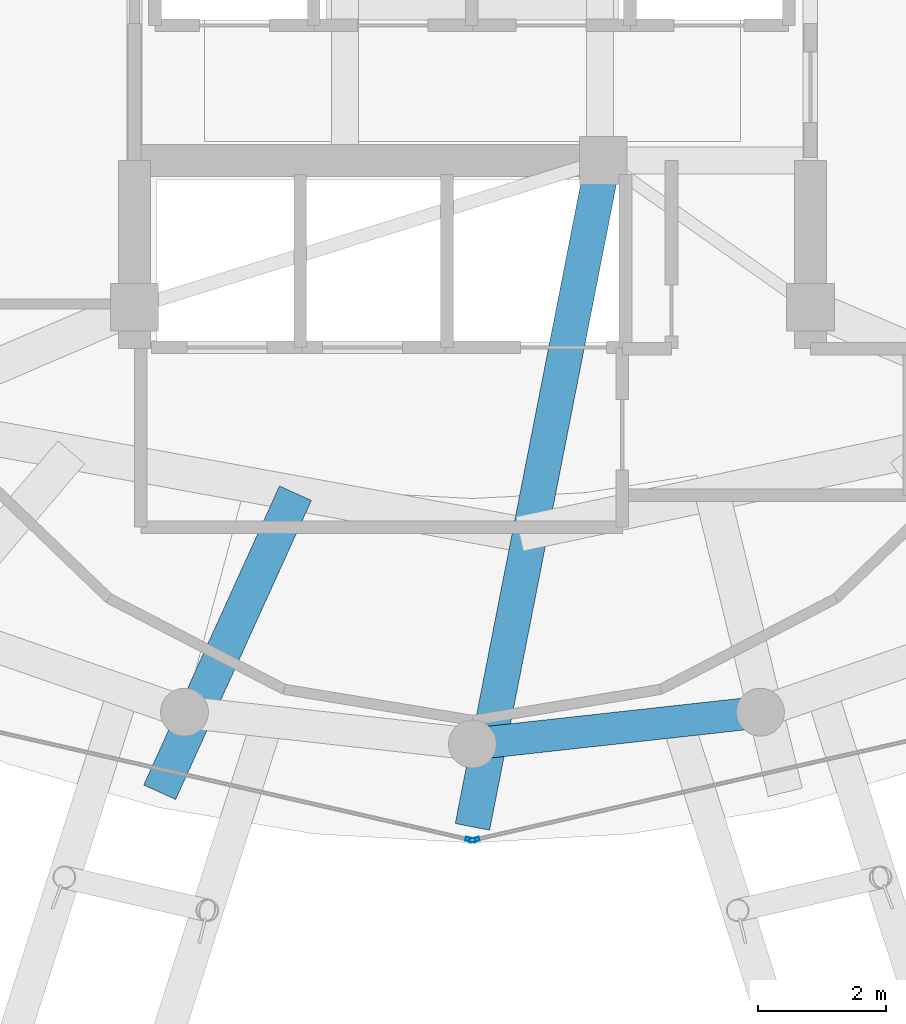
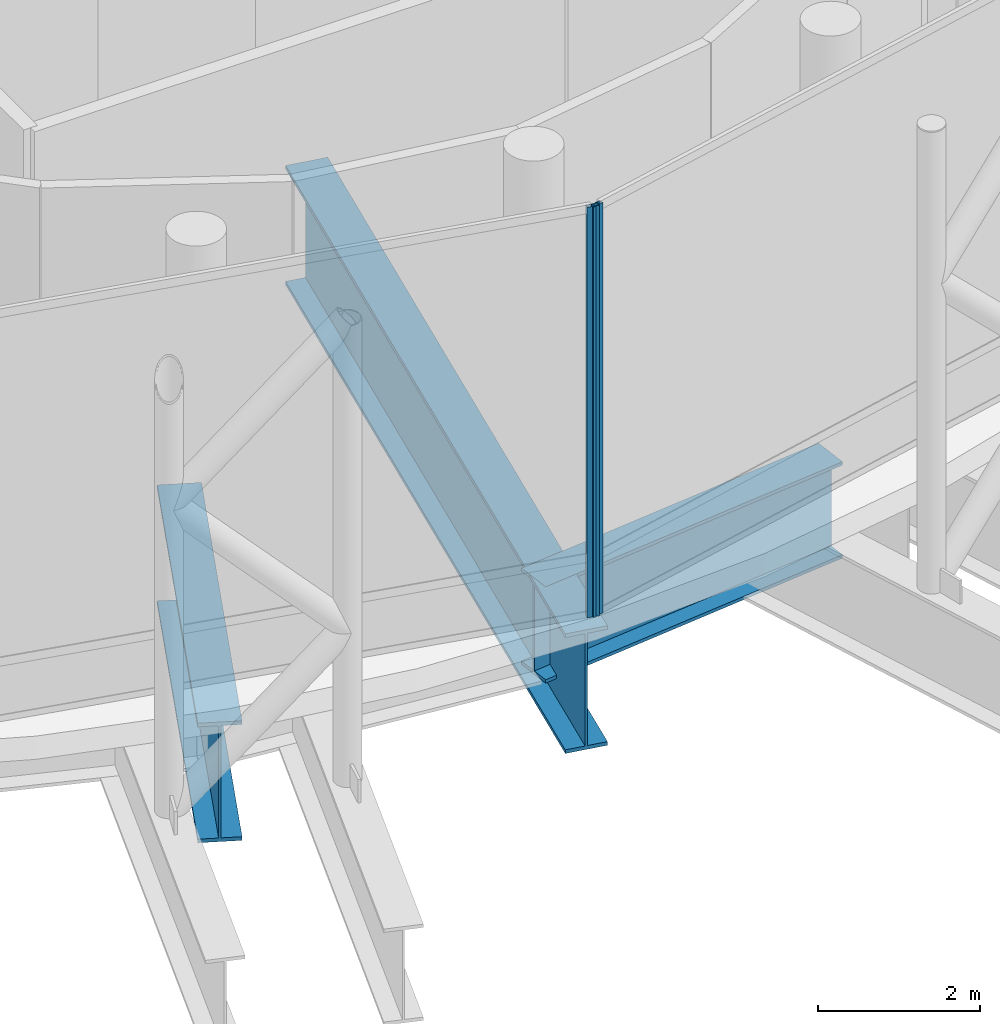
# One storey, part 6 of 26: 3 beams, 2 members, 2 elements without a shape of their own.
"""IFC4 building model written with IfcOpenShell, lengths in metres."""

from ifc_helpers import new_model, si_unit, direction, frame, origin, origin_2d, place, context, subcontext, project, spatial, hollow_rectangle, i_section, extrude, material, layer, layer_set, material_profile, profile_set, type_object, element, aggregate, save


model = new_model("IFC4")

# Units and contexts
model_context = context("Model", 3, precision=1e-05, world=origin(), true_north=direction((0.0, 1.0)))
body_context = subcontext(model_context, "Body", "Model", "MODEL_VIEW")
ifc_project = project(units=[si_unit("LENGTHUNIT", "METRE"), si_unit("AREAUNIT", "SQUARE_METRE"), si_unit("VOLUMEUNIT", "CUBIC_METRE"), si_unit("PLANEANGLEUNIT", "RADIAN"), si_unit("MASSUNIT", "GRAM", prefix="KILO")], contexts=[model_context])

# Site, building, storey
site_placement = place(None, origin())
site = spatial("IfcSite", under=ifc_project, at=site_placement, CompositionType="ELEMENT")
building_placement = place(site_placement, origin())
building = spatial("IfcBuilding", under=site, at=building_placement, Name="Nuhasar Tower", CompositionType="ELEMENT")
storey_placement = place(building_placement, frame((0.0, 0.0, 306.800048828125)))
storey = spatial("IfcBuildingStorey", under=building, at=storey_placement, Name="L76", CompositionType="ELEMENT", Elevation=306.800048828125)

# Beams
ifc_material_1 = material(Name="Steel S460", Category="steel")
ifc_material_profile_1 = material_profile(ifc_material_1, i_section(OverallWidth=0.5, OverallDepth=1.449951171875, WebThickness=0.028076171875, FlangeThickness=0.050048828125, at=origin_2d()), Name="PG1450X500")
ifc_profile_set_1 = profile_set([ifc_material_profile_1], Name="Steel S460")
beam_type_1 = type_object("IfcBeamType", Name="BM-XFER-PG1450", PredefinedType="USERDEFINED", material=ifc_profile_set_1)
beam_1_placement = place(storey_placement, frame((39.0, 12.14990234375, -1.074951171875), z_axis=(0.993950391063, 0.10982995996, 0.0), x_axis=(-0.10982995996, 0.993950391063, 0.0)))
element("IfcBeam", 1, at=beam_1_placement, inside=storey, type_object=beam_type_1, Name="L76 Perimeter Ring Spandrel 19", ObjectType="GIRDER", PredefinedType="USERDEFINED", context=body_context, shape_type="SweptSolid", body=[
    extrude(i_section(OverallWidth=0.5, OverallDepth=1.449951171875, WebThickness=0.028076171875, FlangeThickness=0.050048828125, at=origin_2d()), origin(), (0.0, 0.0, 1.0), 4.543701171875),
])
ifc_material_profile_2 = material_profile(ifc_material_1, i_section(OverallWidth=0.550048828125, OverallDepth=1.800048828125, WebThickness=0.031982421875, FlangeThickness=0.054931640625, at=origin_2d()), Name="PG1800X550")
ifc_profile_set_2 = profile_set([ifc_material_profile_2], Name="Steel S460")
beam_type_2 = type_object("IfcBeamType", Name="BM-XFER-PG1800", PredefinedType="USERDEFINED", material=ifc_profile_set_2)
beam_2_placement = place(storey_placement, frame((41.050048828125, 21.300048828125, -1.25), z_axis=(-0.192508395576, -0.981295326409, 0.0), x_axis=(0.981295326409, -0.192508395576, 0.0)))
element("IfcBeam", 2, at=beam_2_placement, inside=storey, type_object=beam_type_2, Name="L76 Radial Floor Girder 02", ObjectType="GIRDER", PredefinedType="USERDEFINED", context=body_context, shape_type="SweptSolid", body=[
    extrude(i_section(OverallWidth=0.550048828125, OverallDepth=1.800048828125, WebThickness=0.031982421875, FlangeThickness=0.054931640625, at=origin_2d()), origin(), (0.0, 0.0, 1.0), 10.649169921875),
])
beam_3_placement = place(storey_placement, frame((36.22412109375, 16.0830078125, -1.25), z_axis=(-0.41337791991, -0.910559550678, 0.0), x_axis=(0.910559550678, -0.41337791991, 0.0)))
element("IfcBeam", 3, at=beam_3_placement, inside=storey, type_object=beam_type_2, Name="L76 Inner Column Transfer Girder 18", ObjectType="GIRDER", PredefinedType="USERDEFINED", context=body_context, shape_type="SweptSolid", body=[
    extrude(i_section(OverallWidth=0.550048828125, OverallDepth=1.800048828125, WebThickness=0.031982421875, FlangeThickness=0.054931640625, at=origin_2d()), origin(), (0.0, 0.0, 1.0), 5.150634765625),
])

# Curtain wall, member
ifc_material_2 = material(Name="Aluminium 6063-T6", Category="aluminium")
ifc_layer = layer(ifc_material_2, 0.239990234375)
ifc_layer_set = layer_set([ifc_layer], Name="Aluminium 6063-T6")
curtain_wall_type = type_object("IfcCurtainWallType", Name="CW-SKY-LBY", PredefinedType="NOTDEFINED", material=ifc_layer_set)
curtain_wall_1_placement = place(storey_placement, origin())
curtain_wall_1 = element("IfcCurtainWall", 4, at=curtain_wall_1_placement, inside=storey, type_object=curtain_wall_type, Name="L76 Unitised Curtain Wall 09", PredefinedType="NOTDEFINED")
ifc_material_profile_3 = material_profile(ifc_material_2, hollow_rectangle(XDim=0.06005859375, YDim=0.159912109375, WallThickness=0.0048828125, at=origin_2d()), Name="CWM-6")
ifc_profile_set_3 = profile_set([ifc_material_profile_3], Name="Aluminium 6063-T6")
member_type = type_object("IfcMemberType", Name="CW-MUL-S6", PredefinedType="MULLION", material=ifc_profile_set_3)
member_1_placement = place(storey_placement, frame((38.970703125, 10.646728515625, 0.0), z_axis=(0.0, 0.0, 1.0), x_axis=(0.222643296147, 0.974899975731, 0.0)))
member_1 = element("IfcMember", 5, at=member_1_placement, type_object=member_type, Name="CW-SL mullion 2", PredefinedType="MULLION", context=body_context, shape_type="SweptSolid", body=[
    extrude(hollow_rectangle(XDim=0.06005859375, YDim=0.159912109375, WallThickness=0.0048828125, at=origin_2d()), origin(), (0.0, 0.0, 1.0), 6.179931640625),
])
aggregate(curtain_wall_1, [member_1])

curtain_wall_2_placement = place(storey_placement, origin())
curtain_wall_2 = element("IfcCurtainWall", 6, at=curtain_wall_2_placement, inside=storey, type_object=curtain_wall_type, Name="L76 Unitised Curtain Wall 10", PredefinedType="NOTDEFINED")
member_2_placement = place(storey_placement, frame((39.029296875, 10.646728515625, 0.0), z_axis=(0.0, 0.0, 1.0), x_axis=(-0.222643296147, 0.974899975731, 0.0)))
member_2 = element("IfcMember", 7, at=member_2_placement, type_object=member_type, Name="CW-SL mullion 1", PredefinedType="MULLION", context=body_context, shape_type="SweptSolid", body=[
    extrude(hollow_rectangle(XDim=0.06005859375, YDim=0.159912109375, WallThickness=0.0048828125, at=origin_2d()), origin(), (0.0, 0.0, 1.0), 6.179931640625),
])
aggregate(curtain_wall_2, [member_2])

save(model, "model.ifc")
